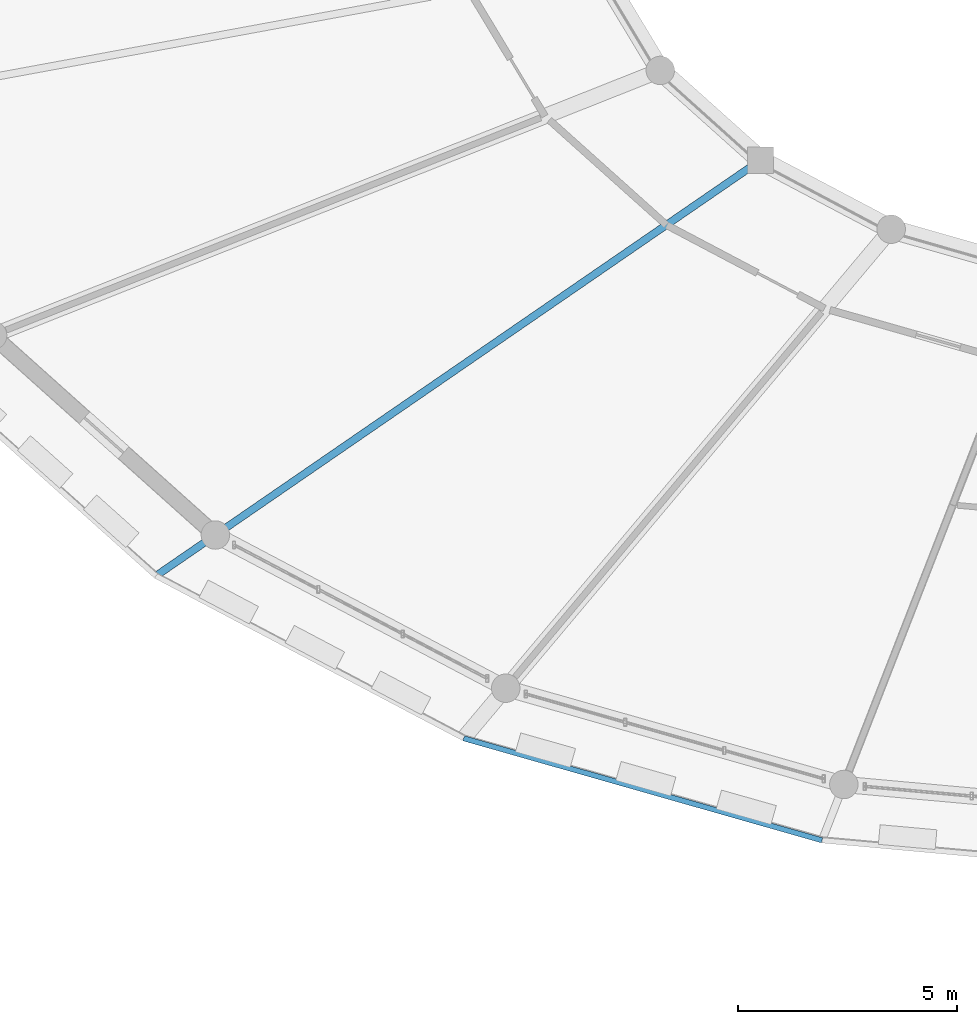
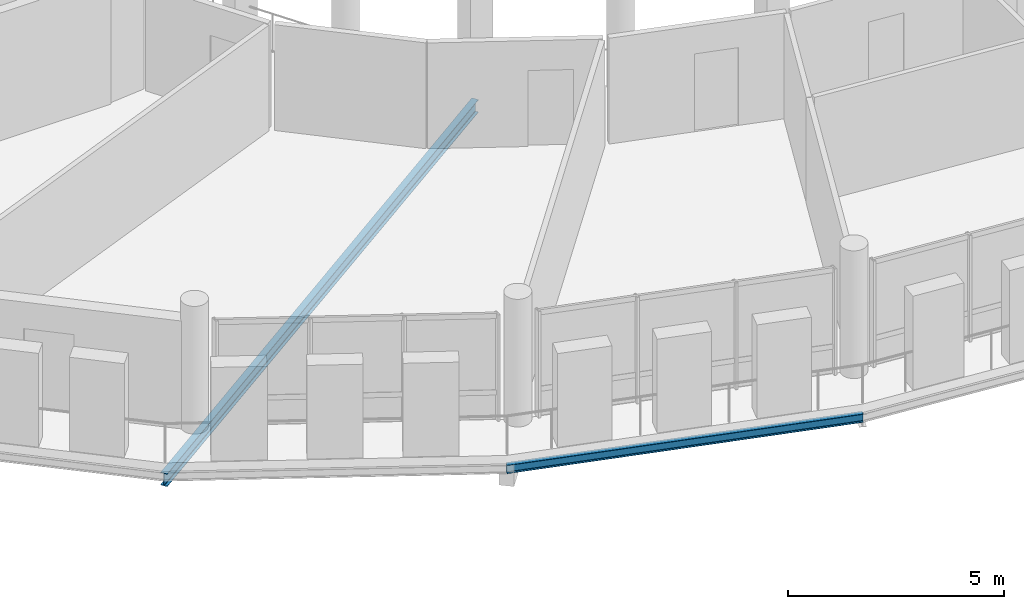
# One storey, part 20 of 93: 2 beams.
"""IFC4 building model written with IfcOpenShell, lengths in metres."""

from ifc_helpers import new_model, si_unit, direction, frame, origin, origin_2d, place, context, subcontext, project, spatial, i_section, extrude, material, material_profile, profile_set, type_object, element, save


model = new_model("IFC4")

# Units and contexts
model_context = context("Model", 3, precision=1e-05, world=origin(), true_north=direction((0.0, 1.0)))
body_context = subcontext(model_context, "Body", "Model", "MODEL_VIEW")
ifc_project = project(units=[si_unit("LENGTHUNIT", "METRE"), si_unit("AREAUNIT", "SQUARE_METRE"), si_unit("VOLUMEUNIT", "CUBIC_METRE"), si_unit("PLANEANGLEUNIT", "RADIAN"), si_unit("MASSUNIT", "GRAM", prefix="KILO")], contexts=[model_context])

# Site, building, storey
site_placement = place(None, origin())
site = spatial("IfcSite", under=ifc_project, at=site_placement, CompositionType="ELEMENT")
building_placement = place(site_placement, origin())
building = spatial("IfcBuilding", under=site, at=building_placement, Name="Zornivar Specialist Clinic", CompositionType="ELEMENT")
storey_placement = place(building_placement, frame((0.0, 0.0, 8.39990234375)))
storey = spatial("IfcBuildingStorey", under=building, at=storey_placement, Name="L02", CompositionType="ELEMENT", Elevation=8.39990234375)

# Beams
ifc_material_1 = material(Name="Steel S355J2", Category="steel")
ifc_material_profile_1 = material_profile(ifc_material_1, i_section(OverallWidth=0.1201171875, OverallDepth=0.239990234375, WebThickness=0.006103515625, FlangeThickness=0.009765625, FilletRadius=0.014892578125, at=origin_2d()), Name="IPE 240")
ifc_profile_set_1 = profile_set([ifc_material_profile_1], Name="Steel S355J2")
beam_type_1 = type_object("IfcBeamType", Name="BM-STL-IPE240", PredefinedType="JOIST", material=ifc_profile_set_1)
beam_1_placement = place(storey_placement, frame((76.639892578125, 37.404052734375, -0.35986328125), z_axis=(0.961783454314, -0.273811225131, 0.0), x_axis=(0.273811225131, 0.961783454314, 0.0)))
element("IfcBeam", 1, at=beam_1_placement, inside=storey, type_object=beam_type_1, Name="bm:V1:L02:balring:16", PredefinedType="JOIST", context=body_context, shape_type="SweptSolid", body=[
    extrude(i_section(OverallWidth=0.1201171875, OverallDepth=0.239990234375, WebThickness=0.006103515625, FlangeThickness=0.009765625, FilletRadius=0.014892578125, at=origin_2d()), origin(), (0.0, 0.0, 1.0), 8.50634765625),
])
ifc_material_2 = material(Name="Steel S355J2", Category="steel")
ifc_material_profile_2 = material_profile(ifc_material_2, i_section(OverallWidth=0.169921875, OverallDepth=0.360107421875, WebThickness=0.008056640625, FlangeThickness=0.0126953125, FilletRadius=0.01806640625, at=origin_2d()), Name="IPE 360")
ifc_profile_set_2 = profile_set([ifc_material_profile_2], Name="Steel S355J2")
beam_type_2 = type_object("IfcBeamType", Name="BM-STL-IPE360", PredefinedType="BEAM", material=ifc_profile_set_2)
beam_2_placement = place(storey_placement, frame((83.41796875, 50.60009765625, -0.469970703125), z_axis=(-0.82402959127, -0.566546761276, 0.0), x_axis=(0.566546761276, -0.82402959127, 0.0)))
element("IfcBeam", 2, at=beam_2_placement, inside=storey, type_object=beam_type_2, Name="bm:V1:L02:radmid:15", PredefinedType="BEAM", context=body_context, shape_type="SweptSolid", body=[
    extrude(i_section(OverallWidth=0.169921875, OverallDepth=0.360107421875, WebThickness=0.008056640625, FlangeThickness=0.0126953125, FilletRadius=0.01806640625, at=origin_2d()), origin(), (0.0, 0.0, 1.0), 16.75048828125),
])

save(model, "model.ifc")
